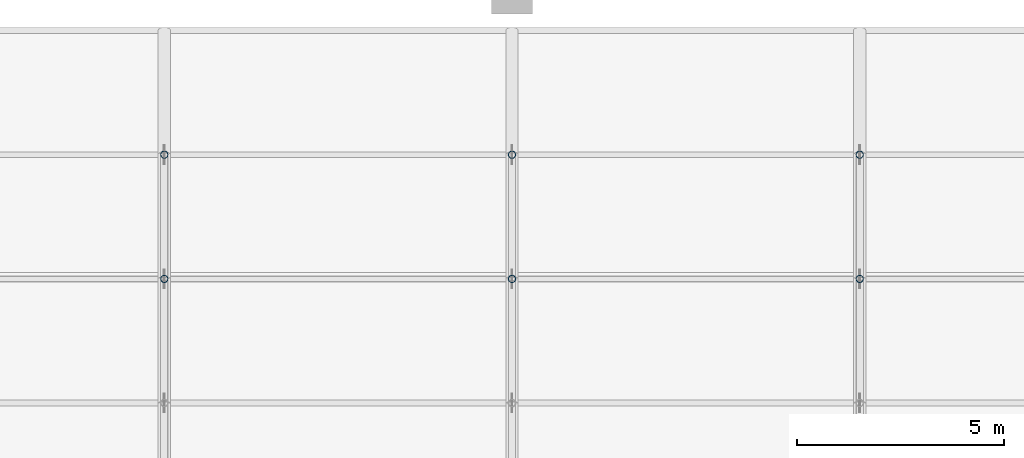
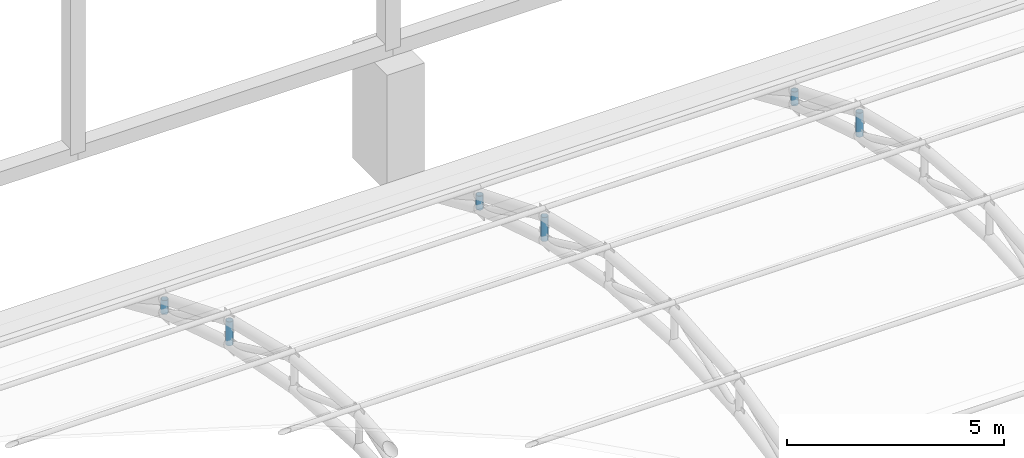
# One storey, part 93 of 163: 6 members.
"""IFC4 building model written with IfcOpenShell, lengths in metres."""

from ifc_helpers import new_model, si_unit, direction, frame, origin, origin_2d, place, context, subcontext, project, spatial, hollow_circle, extrude, material, material_profile, profile_set, type_object, element, save


model = new_model("IFC4")

# Units and contexts
model_context = context("Model", 3, precision=1e-05, world=origin(), true_north=direction((0.0, 1.0)))
body_context = subcontext(model_context, "Body", "Model", "MODEL_VIEW")
ifc_project = project(units=[si_unit("LENGTHUNIT", "METRE"), si_unit("AREAUNIT", "SQUARE_METRE"), si_unit("VOLUMEUNIT", "CUBIC_METRE"), si_unit("PLANEANGLEUNIT", "RADIAN"), si_unit("MASSUNIT", "GRAM", prefix="KILO")], contexts=[model_context])

# Site, building, storey
site_placement = place(None, origin())
site = spatial("IfcSite", under=ifc_project, at=site_placement, CompositionType="ELEMENT")
building_placement = place(site_placement, origin())
building = spatial("IfcBuilding", under=site, at=building_placement, Name="Rain Tree Exposition and Congress Centre", CompositionType="ELEMENT")
storey_placement = place(building_placement, frame((0.0, 0.0, 10.5)))
storey = spatial("IfcBuildingStorey", under=building, at=storey_placement, Name="L02", CompositionType="ELEMENT", Elevation=10.5)

# Members
ifc_material = material(Name="Steel S355J2H", Category="steel")
ifc_material_profile = material_profile(ifc_material, hollow_circle(Radius=0.090087890625, WallThickness=0.008056640625, at=origin_2d()), Name="CHS 180x8")
ifc_profile_set = profile_set([ifc_material_profile], Name="Steel S355J2H")
member_type = type_object("IfcMemberType", Name="Steel post member CHS 180x8", PredefinedType="POST", material=ifc_profile_set)
member_1_placement = place(storey_placement, frame((218.39990234375, 93.60009765625, 2.3798828125), z_axis=(0.0, 0.0, 1.0), x_axis=(1.0, 0.0, 0.0)))
element("IfcMember", 1, at=member_1_placement, inside=storey, type_object=member_type, Name="Roof truss 27 post 6", PredefinedType="POST", context=body_context, shape_type="SweptSolid", body=[
    extrude(hollow_circle(Radius=0.090087890625, WallThickness=0.008056640625, at=origin_2d()), origin(), (0.0, 0.0, 1.0), 0.675048828125),
])
member_2_placement = place(storey_placement, frame((218.39990234375, 96.60009765625, 1.4423828125), z_axis=(0.0, 0.0, 1.0), x_axis=(1.0, 0.0, 0.0)))
element("IfcMember", 2, at=member_2_placement, inside=storey, type_object=member_type, Name="Roof truss 27 post 7", PredefinedType="POST", context=body_context, shape_type="SweptSolid", body=[
    extrude(hollow_circle(Radius=0.090087890625, WallThickness=0.008056640625, at=origin_2d()), origin(), (0.0, 0.0, 1.0), 0.393798828125),
])
member_3_placement = place(storey_placement, frame((226.800048828125, 93.60009765625, 2.3798828125), z_axis=(0.0, 0.0, 1.0), x_axis=(1.0, 0.0, 0.0)))
element("IfcMember", 3, at=member_3_placement, inside=storey, type_object=member_type, Name="Roof truss 28 post 6", PredefinedType="POST", context=body_context, shape_type="SweptSolid", body=[
    extrude(hollow_circle(Radius=0.090087890625, WallThickness=0.008056640625, at=origin_2d()), origin(), (0.0, 0.0, 1.0), 0.675048828125),
])
member_4_placement = place(storey_placement, frame((226.800048828125, 96.60009765625, 1.4423828125), z_axis=(0.0, 0.0, 1.0), x_axis=(1.0, 0.0, 0.0)))
element("IfcMember", 4, at=member_4_placement, inside=storey, type_object=member_type, Name="Roof truss 28 post 7", PredefinedType="POST", context=body_context, shape_type="SweptSolid", body=[
    extrude(hollow_circle(Radius=0.090087890625, WallThickness=0.008056640625, at=origin_2d()), origin(), (0.0, 0.0, 1.0), 0.393798828125),
])
member_5_placement = place(storey_placement, frame((235.199951171875, 93.60009765625, 2.3798828125), z_axis=(0.0, 0.0, 1.0), x_axis=(1.0, 0.0, 0.0)))
element("IfcMember", 5, at=member_5_placement, inside=storey, type_object=member_type, Name="Roof truss 29 post 6", PredefinedType="POST", context=body_context, shape_type="SweptSolid", body=[
    extrude(hollow_circle(Radius=0.090087890625, WallThickness=0.008056640625, at=origin_2d()), origin(), (0.0, 0.0, 1.0), 0.675048828125),
])
member_6_placement = place(storey_placement, frame((235.199951171875, 96.60009765625, 1.4423828125), z_axis=(0.0, 0.0, 1.0), x_axis=(1.0, 0.0, 0.0)))
element("IfcMember", 6, at=member_6_placement, inside=storey, type_object=member_type, Name="Roof truss 29 post 7", PredefinedType="POST", context=body_context, shape_type="SweptSolid", body=[
    extrude(hollow_circle(Radius=0.090087890625, WallThickness=0.008056640625, at=origin_2d()), origin(), (0.0, 0.0, 1.0), 0.393798828125),
])

save(model, "model.ifc")
